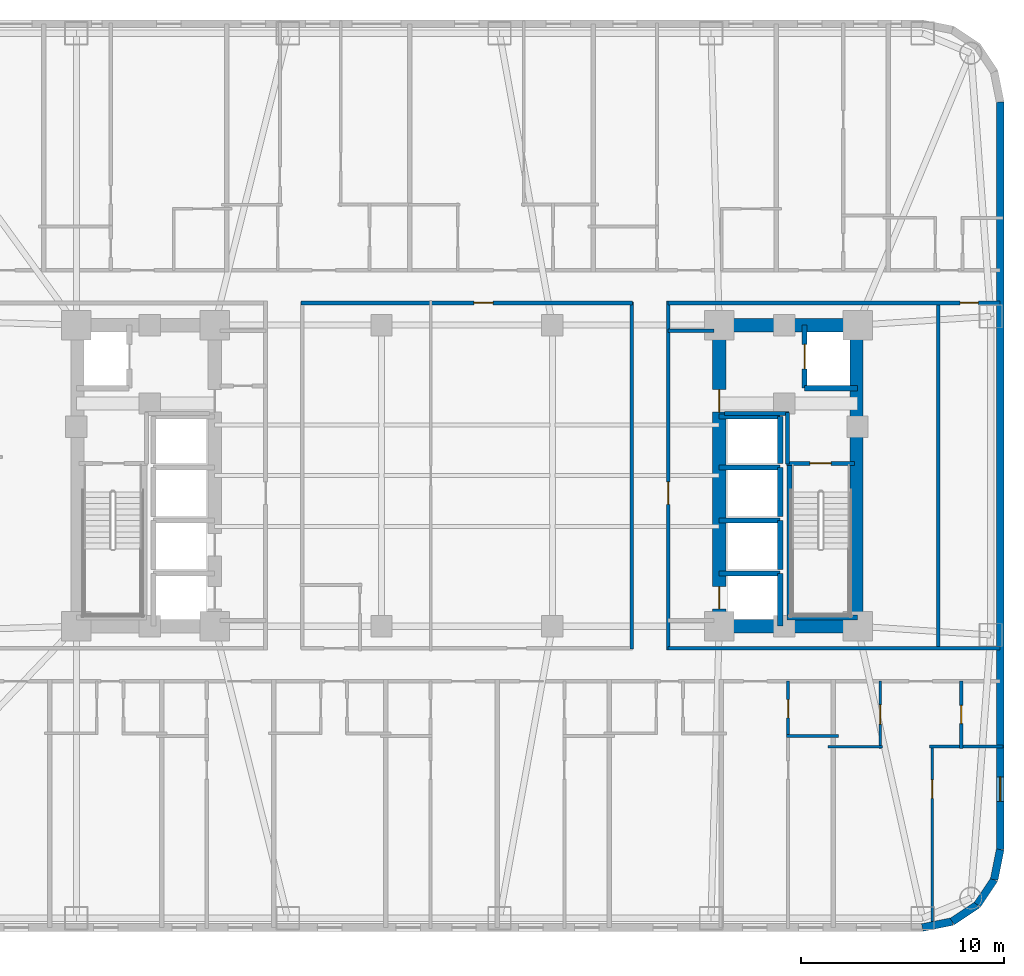
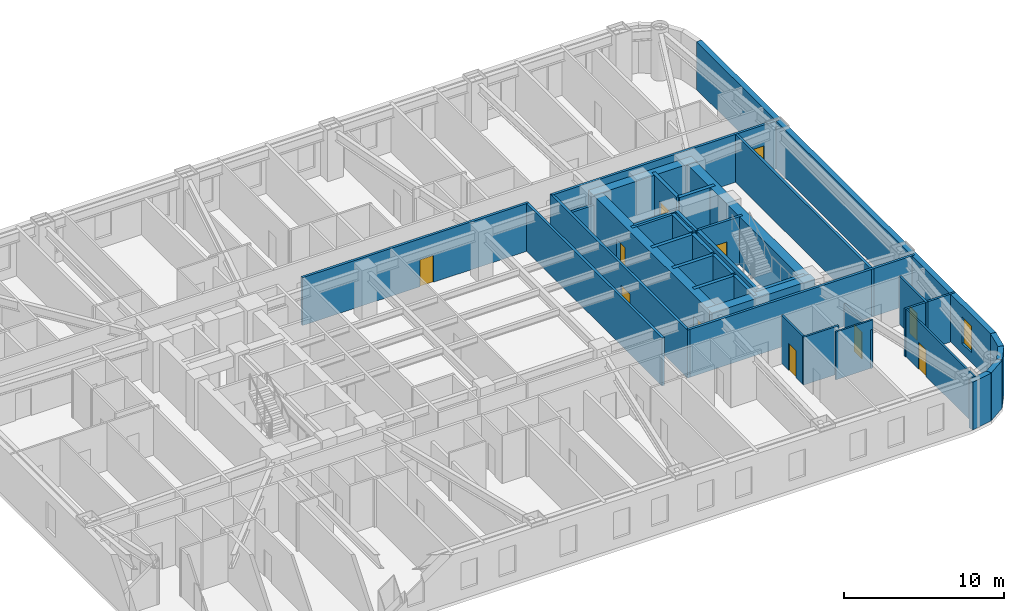
# One storey, part 6 of 11: 38 walls, 11 doors, 1 window, 12 openings.
"""IFC4 building model written with IfcOpenShell, lengths in metres."""

from ifc_helpers import new_model, si_unit, direction, frame, frame_2d, origin, place, context, subcontext, project, spatial, rectangle, extrude, material, layer, layer_set, type_object, element, fill, save


model = new_model("IFC4")

# Units and contexts
model_context = context("Model", 3, precision=1e-05, world=origin(), true_north=direction((0.0, 1.0)))
body_context = subcontext(model_context, "Body", "Model", "MODEL_VIEW")
ifc_project = project(units=[si_unit("LENGTHUNIT", "METRE"), si_unit("AREAUNIT", "SQUARE_METRE"), si_unit("VOLUMEUNIT", "CUBIC_METRE"), si_unit("PLANEANGLEUNIT", "RADIAN"), si_unit("MASSUNIT", "GRAM", prefix="KILO")], contexts=[model_context])

# Site, building, storey
site_placement = place(None, origin())
site = spatial("IfcSite", under=ifc_project, at=site_placement, CompositionType="ELEMENT")
building_placement = place(site_placement, origin())
building = spatial("IfcBuilding", under=site, at=building_placement, Name="Voryun Gate Residences", CompositionType="ELEMENT")
storey_placement = place(building_placement, frame((0.0, 0.0, 68.89990234375)))
storey = spatial("IfcBuildingStorey", under=building, at=storey_placement, Name="L16", CompositionType="ELEMENT", Elevation=68.89990234375)

# Walls
ifc_material_1 = material(Name="Concrete C60/75", Category="concrete")
ifc_layer_1 = layer(ifc_material_1, 0.64990234375, Name="CW_CORE_650")
ifc_layer_set_1 = layer_set([ifc_layer_1], Name="Concrete C60/75")
wall_type_1 = type_object("IfcWallType", Name="CW_CORE_650", PredefinedType="SHEAR", material=ifc_layer_set_1)
for number, where, z_axis, x_axis, name in (
    (1, (12.074951171875, -7.39990234375, 0.0), (0.0, 0.0, 1.0), (1.0, 0.0, 0.0), "L16 Core shear wall CW-L16-ES"),
    (2, (12.074951171875, 7.39990234375, 0.0), (0.0, 0.0, 1.0), (1.0, 0.0, 0.0), "L16 Core shear wall CW-L16-EN"),
):
    element("IfcWall", number, at=place(storey_placement, frame(where, z_axis=z_axis, x_axis=x_axis)), inside=storey, type_object=wall_type_1, Name=name, PredefinedType="SHEAR", context=body_context, shape_type="SweptSolid", body=[
        extrude(rectangle(XDim=7.449951171875, YDim=0.64990234375, at=frame_2d((3.72509765625, 0.0))), origin(), (0.0, 0.0, 1.0), 3.650146484375),
    ])

# Wall, openings, doors
wall_1_placement = place(storey_placement, frame((12.39990234375, -7.39990234375, 0.0), z_axis=(0.0, 0.0, 1.0), x_axis=(0.0, 1.0, 0.0)))
wall_1 = element("IfcWall", 3, at=wall_1_placement, inside=storey, type_object=wall_type_1, Name="L16 Core shear wall CW-L16-EW", PredefinedType="SHEAR", context=body_context, shape_type="SweptSolid", body=[
    extrude(rectangle(XDim=14.7998046875, YDim=0.64990234375, at=frame_2d((7.39990234375, 0.0))), origin(), (0.0, 0.0, 1.0), 3.650146484375),
])
opening_1_placement = place(wall_1_placement, frame((0.85009765625, 0.0, 0.0)))
opening_1 = element("IfcOpeningElement", 4, at=opening_1_placement, cuts=wall_1, Name="Opening LD2", PredefinedType="OPENING", context=body_context, shape_type="SweptSolid", body=[
    extrude(rectangle(XDim=1.10009765625, YDim=2.050048828125, at=frame_2d((0.550048828125, 1.02490234375))), frame((0.0, 0.3349609375, 0.0), z_axis=(0.0, -1.0, 0.0), x_axis=(1.0, 0.0, 0.0)), (0.0, 0.0, 1.0), 0.669921875),
])
opening_2_placement = place(wall_1_placement, frame((10.530029296875, 0.0, 0.0)))
opening_2 = element("IfcOpeningElement", 5, at=opening_2_placement, cuts=wall_1, Name="Opening D-FD60-2", PredefinedType="OPENING", context=body_context, shape_type="SweptSolid", body=[
    extrude(rectangle(XDim=1.10009765625, YDim=2.050048828125, at=frame_2d((0.550048828125, 1.02490234375))), frame((0.0, 0.3349609375, 0.0), z_axis=(0.0, -1.0, 0.0), x_axis=(1.0, 0.0, 0.0)), (0.0, 0.0, 1.0), 0.669921875),
])
ifc_material_2 = material(Name="Painted steel fire door", Category="steel")
door_type_1 = type_object("IfcDoorType", Name="DR_FD60_FFLOB_1100", OperationType="NOTDEFINED", PredefinedType="DOOR", material=ifc_material_2)
door_1_placement = place(opening_2_placement, origin())
door_1 = element("IfcDoor", 6, at=door_1_placement, inside=storey, type_object=door_type_1, Name="Door DR-L16-CLOB-E", OperationType="SINGLE_SWING_RIGHT", OverallHeight=2.050048828125, OverallWidth=1.10009765625, PredefinedType="DOOR", context=body_context, shape_type="SweptSolid", body=[
    extrude(rectangle(XDim=1.10009765625, YDim=2.050048828125, at=frame_2d((0.550048828125, 1.02490234375))), frame((0.0, 0.02490234375, 0.0), z_axis=(0.0, -1.0, 0.0), x_axis=(1.0, 0.0, 0.0)), (0.0, 0.0, 1.0), 0.050048828125),
])
fill(opening_2, door_1)
ifc_material_3 = material(Name="Anodised aluminium", Category="aluminium")
door_type_2 = type_object("IfcDoorType", Name="DR_LD_PASS_1100", OperationType="NOTDEFINED", PredefinedType="DOOR", material=ifc_material_3)
door_2_placement = place(opening_1_placement, origin())
door_2 = element("IfcDoor", 7, at=door_2_placement, inside=storey, type_object=door_type_2, Name="Lift EL-P3 sliding landing door L16", OperationType="SLIDING_TO_LEFT", OverallHeight=2.050048828125, OverallWidth=1.10009765625, PredefinedType="DOOR", context=body_context, shape_type="SweptSolid", body=[
    extrude(rectangle(XDim=1.10009765625, YDim=2.050048828125, at=frame_2d((0.550048828125, 1.02490234375))), frame((0.0, 0.02490234375, 0.0), z_axis=(0.0, -1.0, 0.0), x_axis=(1.0, 0.0, 0.0)), (0.0, 0.0, 1.0), 0.050048828125),
])
fill(opening_1, door_2)

# Wall
wall_2_placement = place(storey_placement, frame((19.14501953125, -7.39990234375, 0.0), z_axis=(0.0, 0.0, 1.0), x_axis=(0.0, 1.0, 0.0)))
element("IfcWall", 8, at=wall_2_placement, inside=storey, type_object=wall_type_1, Name="L16 Core shear wall CW-L16-EE", PredefinedType="SHEAR", context=body_context, shape_type="SweptSolid", body=[
    extrude(rectangle(XDim=14.7998046875, YDim=0.64990234375, at=frame_2d((7.39990234375, 0.0))), origin(), (0.0, 0.0, 1.0), 3.650146484375),
])

# Wall, opening, door
ifc_material_4 = material(Name="Gypsum acoustic fireboard")
ifc_layer_2 = layer(ifc_material_4, 0.179931640625, Name="W_CORR_RATED_180")
ifc_layer_set_2 = layer_set([ifc_layer_2], Name="Gypsum acoustic fireboard")
wall_type_2 = type_object("IfcWallType", Name="W_CORR_RATED_180", PredefinedType="PARTITIONING", material=ifc_layer_set_2)
wall_3_placement = place(storey_placement, frame((15.699951171875, 0.60009765625, 0.0), z_axis=(0.0, 0.0, 1.0), x_axis=(1.0, 0.0, 0.0)))
wall_3 = element("IfcWall", 9, at=wall_3_placement, inside=storey, type_object=wall_type_2, Name="Partition wall WP-L16-STV-E", PredefinedType="PARTITIONING", context=body_context, shape_type="SweptSolid", body=[
    extrude(rectangle(XDim=3.360107421875, YDim=0.179931640625, at=frame_2d((1.68017578125, 0.0))), origin(), (0.0, 0.0, 1.0), 3.650146484375),
])
opening_3_placement = place(wall_3_placement, frame((1.155029296875, 0.0, 0.0)))
opening_3 = element("IfcOpeningElement", 10, at=opening_3_placement, cuts=wall_3, Name="Opening D-FD60-1", PredefinedType="OPENING", context=body_context, shape_type="SweptSolid", body=[
    extrude(rectangle(XDim=1.050048828125, YDim=2.050048828125, at=frame_2d((0.52490234375, 1.02490234375))), frame((0.0, 0.099853515625, 0.0), z_axis=(0.0, -1.0, 0.0), x_axis=(1.0, 0.0, 0.0)), (0.0, 0.0, 1.0), 0.199951171875),
])
ifc_material_5 = material(Name="Painted steel fire door", Category="steel")
door_type_3 = type_object("IfcDoorType", Name="DR_FD60_STAIR_1050", OperationType="NOTDEFINED", PredefinedType="DOOR", material=ifc_material_5)
door_3_placement = place(opening_3_placement, origin())
door_3 = element("IfcDoor", 11, at=door_3_placement, inside=storey, type_object=door_type_3, Name="Door DR-L16-ST-E", OperationType="SINGLE_SWING_RIGHT", OverallHeight=2.050048828125, OverallWidth=1.050048828125, PredefinedType="DOOR", context=body_context, shape_type="SweptSolid", body=[
    extrude(rectangle(XDim=1.050048828125, YDim=2.050048828125, at=frame_2d((0.52490234375, 1.02490234375))), frame((0.0, 0.02490234375, 0.0), z_axis=(0.0, -1.0, 0.0), x_axis=(1.0, 0.0, 0.0)), (0.0, 0.0, 1.0), 0.050048828125),
])
fill(opening_3, door_3)

# Wall
wall_4_placement = place(storey_placement, frame((9.8798828125, 7.1201171875, 0.0), z_axis=(0.0, 0.0, 1.0), x_axis=(1.0, 0.0, 0.0)))
element("IfcWall", 12, at=wall_4_placement, inside=storey, type_object=wall_type_2, Name="Partition wall WP-L16-PLBN-E", PredefinedType="PARTITIONING", context=body_context, shape_type="SweptSolid", body=[
    extrude(rectangle(XDim=2.27001953125, YDim=0.179931640625, at=frame_2d((1.135009765625, 0.0))), origin(), (0.0, 0.0, 1.0), 2.940185546875),
])

# Wall, opening, door
wall_5_placement = place(storey_placement, frame((9.89990234375, -8.580078125, 0.0), z_axis=(0.0, 0.0, 1.0), x_axis=(0.0, 1.0, 0.0)))
wall_5 = element("IfcWall", 13, at=wall_5_placement, inside=storey, type_object=wall_type_2, Name="Partition wall WP-L16-PLBE-FULL", PredefinedType="PARTITIONING", context=body_context, shape_type="SweptSolid", body=[
    extrude(rectangle(XDim=17.16015625, YDim=0.179931640625, at=frame_2d((8.580078125, 0.0))), origin(), (0.0, 0.0, 1.0), 3.650146484375),
])
opening_4_placement = place(wall_5_placement, frame((7.172119140625, 0.0, 0.0)))
opening_4 = element("IfcOpeningElement", 14, at=opening_4_placement, cuts=wall_5, Name="Opening D-FD60-2", PredefinedType="OPENING", context=body_context, shape_type="SweptSolid", body=[
    extrude(rectangle(XDim=1.10009765625, YDim=2.050048828125, at=frame_2d((0.550048828125, 1.02490234375))), frame((0.0, 0.099853515625, 0.0), z_axis=(0.0, -1.0, 0.0), x_axis=(1.0, 0.0, 0.0)), (0.0, 0.0, 1.0), 0.199951171875),
])
door_4_placement = place(opening_4_placement, origin())
door_4 = element("IfcDoor", 15, at=door_4_placement, inside=storey, type_object=door_type_1, Name="Door DR-L16-PLBE-COR", OperationType="SINGLE_SWING_RIGHT", OverallHeight=2.050048828125, OverallWidth=1.10009765625, PredefinedType="DOOR", context=body_context, shape_type="SweptSolid", body=[
    extrude(rectangle(XDim=1.10009765625, YDim=2.050048828125, at=frame_2d((0.550048828125, 1.02490234375))), frame((0.0, 0.02490234375, 0.0), z_axis=(0.0, -1.0, 0.0), x_axis=(1.0, 0.0, 0.0)), (0.0, 0.0, 1.0), 0.050048828125),
])
fill(opening_4, door_4)

wall_6_placement = place(storey_placement, frame((9.8798828125, 8.489990234375, 0.0), z_axis=(0.0, 0.0, 1.0), x_axis=(1.0, 0.0, 0.0)))
wall_6 = element("IfcWall", 16, at=wall_6_placement, inside=storey, type_object=wall_type_2, Name="Partition wall WP-L16-CWING-EN", PredefinedType="PARTITIONING", context=body_context, shape_type="SweptSolid", body=[
    extrude(rectangle(XDim=16.330078125, YDim=0.179931640625, at=frame_2d((8.1650390625, 0.0))), origin(), (0.0, 0.0, 1.0), 3.650146484375),
])
opening_5_placement = place(wall_6_placement, frame((14.364501953125, 0.0, 0.0)))
opening_5 = element("IfcOpeningElement", 17, at=opening_5_placement, cuts=wall_6, Name="Opening D-INT-2", PredefinedType="OPENING", context=body_context, shape_type="SweptSolid", body=[
    extrude(rectangle(XDim=0.89990234375, YDim=2.050048828125, at=frame_2d((0.449951171875, 1.02490234375))), frame((0.0, 0.099853515625, 0.0), z_axis=(0.0, -1.0, 0.0), x_axis=(1.0, 0.0, 0.0)), (0.0, 0.0, 1.0), 0.199951171875),
])
ifc_material_6 = material(Name="Architectural oak veneer")
door_type_4 = type_object("IfcDoorType", Name="DR_INT_BATH_900", OperationType="NOTDEFINED", PredefinedType="DOOR", material=ifc_material_6)
door_5_placement = place(opening_5_placement, origin())
door_5 = element("IfcDoor", 18, at=door_5_placement, inside=storey, type_object=door_type_4, Name="Door DR-L16-EE1N", OperationType="SINGLE_SWING_LEFT", OverallHeight=2.050048828125, OverallWidth=0.89990234375, PredefinedType="DOOR", context=body_context, shape_type="SweptSolid", body=[
    extrude(rectangle(XDim=0.89990234375, YDim=2.050048828125, at=frame_2d((0.449951171875, 1.02490234375))), frame((0.0, 0.02490234375, 0.0), z_axis=(0.0, -1.0, 0.0), x_axis=(1.0, 0.0, 0.0)), (0.0, 0.0, 1.0), 0.050048828125),
])
fill(opening_5, door_5)

# Wall
wall_7_placement = place(storey_placement, frame((9.8798828125, -8.489990234375, 0.0), z_axis=(0.0, 0.0, 1.0), x_axis=(1.0, 0.0, 0.0)))
element("IfcWall", 19, at=wall_7_placement, inside=storey, type_object=wall_type_2, Name="Partition wall WP-L16-CWING-ES", PredefinedType="PARTITIONING", context=body_context, shape_type="SweptSolid", body=[
    extrude(rectangle(XDim=16.330078125, YDim=0.179931640625, at=frame_2d((8.1650390625, 0.0))), origin(), (0.0, 0.0, 1.0), 3.650146484375),
])

# Wall, opening, door
wall_8_placement = place(storey_placement, frame((-8.14990234375, 8.489990234375, 0.0), z_axis=(0.0, 0.0, 1.0), x_axis=(1.0, 0.0, 0.0)))
wall_8 = element("IfcWall", 20, at=wall_8_placement, inside=storey, type_object=wall_type_2, Name="Partition wall WP-L16-Z1N", PredefinedType="PARTITIONING", context=body_context, shape_type="SweptSolid", body=[
    extrude(rectangle(XDim=16.2998046875, YDim=0.179931640625, at=frame_2d((8.14990234375, 0.0))), origin(), (0.0, 0.0, 1.0), 3.650146484375),
])
opening_6_placement = place(wall_8_placement, frame((8.489990234375, 0.0, 0.0)))
opening_6 = element("IfcOpeningElement", 21, at=opening_6_placement, cuts=wall_8, Name="Opening D-INT-1", PredefinedType="OPENING", context=body_context, shape_type="SweptSolid", body=[
    extrude(rectangle(XDim=0.949951171875, YDim=2.050048828125, at=frame_2d((0.47509765625, 1.02490234375))), frame((0.0, 0.099853515625, 0.0), z_axis=(0.0, -1.0, 0.0), x_axis=(1.0, 0.0, 0.0)), (0.0, 0.0, 1.0), 0.199951171875),
])
ifc_material_7 = material(Name="Architectural oak veneer")
door_type_5 = type_object("IfcDoorType", Name="DR_INT_ROOM_950", OperationType="NOTDEFINED", PredefinedType="DOOR", material=ifc_material_7)
door_6_placement = place(opening_6_placement, origin())
door_6 = element("IfcDoor", 22, at=door_6_placement, inside=storey, type_object=door_type_5, Name="Door DR-L16-CMIDZ1N", OperationType="SINGLE_SWING_LEFT", OverallHeight=2.050048828125, OverallWidth=0.949951171875, PredefinedType="DOOR", context=body_context, shape_type="SweptSolid", body=[
    extrude(rectangle(XDim=0.949951171875, YDim=2.050048828125, at=frame_2d((0.47509765625, 1.02490234375))), frame((0.0, 0.02490234375, 0.0), z_axis=(0.0, -1.0, 0.0), x_axis=(1.0, 0.0, 0.0)), (0.0, 0.0, 1.0), 0.050048828125),
])
fill(opening_6, door_6)

# Walls
wall_9_placement = place(storey_placement, frame((8.10009765625, -8.530029296875, 0.0), z_axis=(0.0, 0.0, 1.0), x_axis=(0.0, 1.0, 0.0)))
element("IfcWall", 23, at=wall_9_placement, inside=storey, type_object=wall_type_2, Name="Partition wall WP-L16-Z1E", PredefinedType="PARTITIONING", context=body_context, shape_type="SweptSolid", body=[
    extrude(rectangle(XDim=17.06005859375, YDim=0.179931640625, at=frame_2d((8.530029296875, 0.0))), origin(), (0.0, 0.0, 1.0), 3.650146484375),
])
wall_10_placement = place(storey_placement, frame((23.169921875, -8.580078125, 0.0), z_axis=(0.0, 0.0, 1.0), x_axis=(0.0, 1.0, 0.0)))
element("IfcWall", 24, at=wall_10_placement, inside=storey, type_object=wall_type_2, Name="Partition wall WP-L16-EEND", PredefinedType="PARTITIONING", context=body_context, shape_type="SweptSolid", body=[
    extrude(rectangle(XDim=17.16015625, YDim=0.179931640625, at=frame_2d((8.580078125, 0.0))), origin(), (0.0, 0.0, 1.0), 3.650146484375),
])

# Wall, opening, window
ifc_material_8 = material(Name="Granite masonry", Category="masonry")
ifc_layer_3 = layer(ifc_material_8, 0.3798828125, Name="W_EXT_GRANITE_380")
ifc_layer_set_3 = layer_set([ifc_layer_3], Name="Granite masonry")
wall_type_3 = type_object("IfcWallType", Name="W_EXT_GRANITE_380", PredefinedType="ELEMENTEDWALL", material=ifc_layer_set_3)
wall_11_placement = place(storey_placement, frame((26.2099609375, 18.38134765625, 0.0), z_axis=(0.0, 0.0, 1.0), x_axis=(0.0, -1.0, 0.0)))
wall_11 = element("IfcWall", 25, at=wall_11_placement, inside=storey, type_object=wall_type_3, Name="Exterior wall WEXT-L16-16", PredefinedType="ELEMENTEDWALL", context=body_context, shape_type="SweptSolid", body=[
    extrude(rectangle(XDim=36.7626953125, YDim=0.3798828125, at=frame_2d((18.38134765625, 0.0))), origin(), (0.0, 0.0, 1.0), 3.650146484375),
])
opening_7_placement = place(wall_11_placement, frame((33.18701171875, 0.0, 0.75)))
opening_7 = element("IfcOpeningElement", 26, at=opening_7_placement, cuts=wall_11, Name="Opening WN6", PredefinedType="OPENING", context=body_context, shape_type="SweptSolid", body=[
    extrude(rectangle(XDim=1.199951171875, YDim=2.050048828125, at=frame_2d((0.60009765625, 1.02490234375))), frame((0.0, 0.199951171875, 0.0), z_axis=(0.0, -1.0, 0.0), x_axis=(1.0, 0.0, 0.0)), (0.0, 0.0, 1.0), 0.39990234375),
])
ifc_material_9 = material(Name="Laminated low-E glass", Category="glass")
window_type = type_object("IfcWindowType", Name="WN_POD_SLOT_1200", PartitioningType="SINGLE_PANEL", PredefinedType="WINDOW", material=ifc_material_9)
window_placement = place(opening_7_placement, origin())
window = element("IfcWindow", 27, at=window_placement, inside=storey, type_object=window_type, Name="Window WN-L16-DWFIX-30", OverallHeight=2.050048828125, OverallWidth=1.199951171875, PartitioningType="SINGLE_PANEL", PredefinedType="WINDOW", context=body_context, shape_type="SweptSolid", body=[
    extrude(rectangle(XDim=1.199951171875, YDim=2.050048828125, at=frame_2d((0.60009765625, 1.02490234375))), frame((0.0, 0.030029296875, 0.0), z_axis=(0.0, -1.0, 0.0), x_axis=(1.0, 0.0, 0.0)), (0.0, 0.0, 1.0), 0.06005859375),
])
fill(opening_7, window)

# Walls
wall_12_placement = place(storey_placement, frame((26.2099609375, -18.38134765625, 0.0), z_axis=(0.0, 0.0, 1.0), x_axis=(-0.195086038585, -0.980786132421, 0.0)))
element("IfcWall", 28, at=wall_12_placement, inside=storey, type_object=wall_type_3, Name="Exterior wall WEXT-L16-17", PredefinedType="ELEMENTEDWALL", context=body_context, shape_type="SweptSolid", body=[
    extrude(rectangle(XDim=1.504150390625, YDim=0.3798828125, at=frame_2d((0.751953125, 0.0))), origin(), (0.0, 0.0, 1.0), 3.650146484375),
])
for number, where, z_axis, x_axis, name in (
    (29, (25.91650390625, -19.856689453125, 0.0), (0.0, 0.0, 1.0), (-0.555686231674, -0.831392092774, 0.0), "Exterior wall WEXT-L16-18"),
    (30, (25.09130859375, -21.09130859375, 0.0), (0.0, 0.0, 1.0), (-0.831392092774, -0.555686231674, 0.0), "Exterior wall WEXT-L16-19"),
):
    element("IfcWall", number, at=place(storey_placement, frame(where, z_axis=z_axis, x_axis=x_axis)), inside=storey, type_object=wall_type_3, Name=name, PredefinedType="ELEMENTEDWALL", context=body_context, shape_type="SweptSolid", body=[
        extrude(rectangle(XDim=1.485107421875, YDim=0.3798828125, at=frame_2d((0.74267578125, 0.0))), origin(), (0.0, 0.0, 1.0), 3.650146484375),
    ])
wall_13_placement = place(storey_placement, frame((23.856689453125, -21.91650390625, 0.0), z_axis=(0.0, 0.0, 1.0), x_axis=(-0.980786132421, -0.195086038585, 0.0)))
element("IfcWall", 31, at=wall_13_placement, inside=storey, type_object=wall_type_3, Name="Exterior wall WEXT-L16-20", PredefinedType="ELEMENTEDWALL", context=body_context, shape_type="SweptSolid", body=[
    extrude(rectangle(XDim=1.504150390625, YDim=0.3798828125, at=frame_2d((0.751953125, 0.0))), origin(), (0.0, 0.0, 1.0), 3.650146484375),
])
ifc_material_10 = material(Name="Concrete C40/50", Category="concrete")
ifc_layer_4 = layer(ifc_material_10, 0.199951171875, Name="W_FF_LOBBY_200")
ifc_layer_set_4 = layer_set([ifc_layer_4], Name="Concrete C40/50")
wall_type_4 = type_object("IfcWallType", Name="W_FF_LOBBY_200", PredefinedType="PARTITIONING", material=ifc_layer_set_4)
wall_14_placement = place(storey_placement, frame((15.760009765625, 0.580078125, 0.0), z_axis=(0.0, 0.0, 1.0), x_axis=(0.0, 1.0, 0.0)))
element("IfcWall", 32, at=wall_14_placement, inside=storey, type_object=wall_type_4, Name="Partition wall WP-L16-FFP0-E", PredefinedType="PARTITIONING", context=body_context, shape_type="SweptSolid", body=[
    extrude(rectangle(XDim=2.52001953125, YDim=0.199951171875, at=frame_2d((1.260009765625, 0.0))), origin(), (0.0, 0.0, 1.0), 3.650146484375),
])
wall_15_placement = place(storey_placement, frame((12.659912109375, 3.06005859375, 0.0), z_axis=(0.0, 0.0, 1.0), x_axis=(1.0, 0.0, 0.0)))
element("IfcWall", 33, at=wall_15_placement, inside=storey, type_object=wall_type_4, Name="Partition wall WP-L16-FFPS-E", PredefinedType="PARTITIONING", context=body_context, shape_type="SweptSolid", body=[
    extrude(rectangle(XDim=3.16015625, YDim=0.199951171875, at=frame_2d((1.580078125, 0.0))), origin(), (0.0, 0.0, 1.0), 3.650146484375),
])
ifc_material_11 = material(Name="Concrete C50/60", Category="concrete")
ifc_layer_5 = layer(ifc_material_11, 0.25, Name="W_SHAFT_RC250")
ifc_layer_set_5 = layer_set([ifc_layer_5], Name="Concrete C50/60")
wall_type_5 = type_object("IfcWallType", Name="W_SHAFT_RC250", PredefinedType="SOLIDWALL", material=ifc_layer_set_5)
wall_16_placement = place(storey_placement, frame((15.860107421875, -7.0849609375, 0.0), z_axis=(0.0, 0.0, 1.0), x_axis=(0.0, 1.0, 0.0)))
element("IfcWall", 34, at=wall_16_placement, inside=storey, type_object=wall_type_5, Name="L16 Stair shaft structural wall E-STL", PredefinedType="SOLIDWALL", context=body_context, shape_type="SweptSolid", body=[
    extrude(rectangle(XDim=7.68505859375, YDim=0.25, at=frame_2d((3.842529296875, 0.0))), origin(), (0.0, 0.0, 1.0), 3.650146484375),
])
wall_17_placement = place(storey_placement, frame((15.739990234375, -6.965087890625, 0.0), z_axis=(0.0, 0.0, 1.0), x_axis=(1.0, 0.0, 0.0)))
element("IfcWall", 35, at=wall_17_placement, inside=storey, type_object=wall_type_5, Name="L16 Stair shaft structural wall E-STS", PredefinedType="SOLIDWALL", context=body_context, shape_type="SweptSolid", body=[
    extrude(rectangle(XDim=3.4599609375, YDim=0.25, at=frame_2d((1.72998046875, 0.0))), origin(), (0.0, 0.0, 1.0), 3.650146484375),
])
wall_18_placement = place(storey_placement, frame((16.60009765625, 4.300048828125, 0.0), z_axis=(0.0, 0.0, 1.0), x_axis=(1.0, 0.0, 0.0)))
element("IfcWall", 36, at=wall_18_placement, inside=storey, type_object=wall_type_5, Name="Lift shaft wall WSH-L16-EL-FF-E1-S", PredefinedType="SOLIDWALL", context=body_context, shape_type="SweptSolid", body=[
    extrude(rectangle(XDim=2.599853515625, YDim=0.25, at=frame_2d((1.2998046875, 0.0))), origin(), (0.0, 0.0, 1.0), 3.650146484375),
])

# Wall, opening, door
wall_19_placement = place(storey_placement, frame((16.60009765625, 7.39990234375, 0.0), z_axis=(0.0, 0.0, 1.0), x_axis=(0.0, -1.0, 0.0)))
wall_19 = element("IfcWall", 37, at=wall_19_placement, inside=storey, type_object=wall_type_5, Name="Lift shaft wall WSH-L16-EL-FF-E1-W", PredefinedType="SOLIDWALL", context=body_context, shape_type="SweptSolid", body=[
    extrude(rectangle(XDim=3.099853515625, YDim=0.25, at=frame_2d((1.5498046875, 0.0))), origin(), (0.0, 0.0, 1.0), 3.650146484375),
])
opening_8_placement = place(wall_19_placement, frame((0.949951171875, 0.0, 0.0)))
opening_8 = element("IfcOpeningElement", 38, at=opening_8_placement, cuts=wall_19, Name="Opening LD1", PredefinedType="OPENING", context=body_context, shape_type="SweptSolid", body=[
    extrude(rectangle(XDim=1.199951171875, YDim=2.050048828125, at=frame_2d((0.60009765625, 1.02490234375))), frame((0.0, 0.135009765625, 0.0), z_axis=(0.0, -1.0, 0.0), x_axis=(1.0, 0.0, 0.0)), (0.0, 0.0, 1.0), 0.27001953125),
])
ifc_material_12 = material(Name="Anodised aluminium", Category="aluminium")
door_type_6 = type_object("IfcDoorType", Name="DR_LD_FF_1200", OperationType="NOTDEFINED", PredefinedType="DOOR", material=ifc_material_12)
door_7_placement = place(opening_8_placement, origin())
door_7 = element("IfcDoor", 39, at=door_7_placement, inside=storey, type_object=door_type_6, Name="Lift EL-FF-E1 sliding landing door L16", OperationType="SLIDING_TO_LEFT", OverallHeight=2.050048828125, OverallWidth=1.199951171875, PredefinedType="DOOR", context=body_context, shape_type="SweptSolid", body=[
    extrude(rectangle(XDim=1.199951171875, YDim=2.050048828125, at=frame_2d((0.60009765625, 1.02490234375))), frame((0.0, 0.02490234375, 0.0), z_axis=(0.0, -1.0, 0.0), x_axis=(1.0, 0.0, 0.0)), (0.0, 0.0, 1.0), 0.050048828125),
])
fill(opening_8, door_7)

# Walls
wall_20_placement = place(storey_placement, frame((15.39990234375, -7.39990234375, 0.0), z_axis=(0.0, 0.0, 1.0), x_axis=(0.0, 1.0, 0.0)))
element("IfcWall", 40, at=wall_20_placement, inside=storey, type_object=wall_type_5, Name="Lift shaft wall WSH-L16-EL-P3-E", PredefinedType="SOLIDWALL", context=body_context, shape_type="SweptSolid", body=[
    extrude(rectangle(XDim=2.599853515625, YDim=0.25, at=frame_2d((1.2998046875, 0.0))), origin(), (0.0, 0.0, 1.0), 3.650146484375),
])
wall_21_placement = place(storey_placement, frame((15.39990234375, -4.800048828125, 0.0), z_axis=(0.0, 0.0, 1.0), x_axis=(-1.0, 0.0, 0.0)))
element("IfcWall", 41, at=wall_21_placement, inside=storey, type_object=wall_type_5, Name="Lift shaft wall WSH-L16-EL-P3-N", PredefinedType="SOLIDWALL", context=body_context, shape_type="SweptSolid", body=[
    extrude(rectangle(XDim=3.0, YDim=0.25, at=frame_2d((1.5, 0.0))), origin(), (0.0, 0.0, 1.0), 3.650146484375),
])
wall_22_placement = place(storey_placement, frame((15.39990234375, -4.60009765625, 0.0), z_axis=(0.0, 0.0, 1.0), x_axis=(0.0, 1.0, 0.0)))
element("IfcWall", 42, at=wall_22_placement, inside=storey, type_object=wall_type_5, Name="Lift shaft wall WSH-L16-EL-P5-E", PredefinedType="SOLIDWALL", context=body_context, shape_type="SweptSolid", body=[
    extrude(rectangle(XDim=2.400146484375, YDim=0.25, at=frame_2d((1.2001953125, 0.0))), origin(), (0.0, 0.0, 1.0), 3.650146484375),
])
wall_23_placement = place(storey_placement, frame((15.39990234375, -2.199951171875, 0.0), z_axis=(0.0, 0.0, 1.0), x_axis=(-1.0, 0.0, 0.0)))
element("IfcWall", 43, at=wall_23_placement, inside=storey, type_object=wall_type_5, Name="Lift shaft wall WSH-L16-EL-P5-N", PredefinedType="SOLIDWALL", context=body_context, shape_type="SweptSolid", body=[
    extrude(rectangle(XDim=3.0, YDim=0.25, at=frame_2d((1.5, 0.0))), origin(), (0.0, 0.0, 1.0), 3.650146484375),
])
wall_24_placement = place(storey_placement, frame((15.39990234375, -2.0, 0.0), z_axis=(0.0, 0.0, 1.0), x_axis=(0.0, 1.0, 0.0)))
element("IfcWall", 44, at=wall_24_placement, inside=storey, type_object=wall_type_5, Name="Lift shaft wall WSH-L16-EL-P6-E", PredefinedType="SOLIDWALL", context=body_context, shape_type="SweptSolid", body=[
    extrude(rectangle(XDim=2.39990234375, YDim=0.25, at=frame_2d((1.199951171875, 0.0))), origin(), (0.0, 0.0, 1.0), 3.650146484375),
])
wall_25_placement = place(storey_placement, frame((15.39990234375, 0.39990234375, 0.0), z_axis=(0.0, 0.0, 1.0), x_axis=(-1.0, 0.0, 0.0)))
element("IfcWall", 45, at=wall_25_placement, inside=storey, type_object=wall_type_5, Name="Lift shaft wall WSH-L16-EL-P6-N", PredefinedType="SOLIDWALL", context=body_context, shape_type="SweptSolid", body=[
    extrude(rectangle(XDim=3.0, YDim=0.25, at=frame_2d((1.5, 0.0))), origin(), (0.0, 0.0, 1.0), 3.650146484375),
])
wall_26_placement = place(storey_placement, frame((15.39990234375, 0.60009765625, 0.0), z_axis=(0.0, 0.0, 1.0), x_axis=(0.0, 1.0, 0.0)))
element("IfcWall", 46, at=wall_26_placement, inside=storey, type_object=wall_type_5, Name="Lift shaft wall WSH-L16-EL-P8-E", PredefinedType="SOLIDWALL", context=body_context, shape_type="SweptSolid", body=[
    extrude(rectangle(XDim=2.2998046875, YDim=0.25, at=frame_2d((1.14990234375, 0.0))), origin(), (0.0, 0.0, 1.0), 3.650146484375),
])
wall_27_placement = place(storey_placement, frame((15.39990234375, 2.89990234375, 0.0), z_axis=(0.0, 0.0, 1.0), x_axis=(-1.0, 0.0, 0.0)))
element("IfcWall", 47, at=wall_27_placement, inside=storey, type_object=wall_type_5, Name="Lift shaft wall WSH-L16-EL-P8-N", PredefinedType="SOLIDWALL", context=body_context, shape_type="SweptSolid", body=[
    extrude(rectangle(XDim=3.0, YDim=0.25, at=frame_2d((1.5, 0.0))), origin(), (0.0, 0.0, 1.0), 3.650146484375),
])

# Wall, opening, door
ifc_material_13 = material(Name="Gypsum acoustic partition")
ifc_layer_6 = layer(ifc_material_13, 0.125, Name="W_UNIT_PART_125")
ifc_layer_set_6 = layer_set([ifc_layer_6], Name="Gypsum acoustic partition")
wall_type_6 = type_object("IfcWallType", Name="W_UNIT_PART_125", PredefinedType="PARTITIONING", material=ifc_layer_set_6)
wall_28_placement = place(storey_placement, frame((22.867919921875, -22.26611328125, 0.0), z_axis=(0.0, 0.0, 1.0), x_axis=(0.0, 1.0, 0.0)))
wall_28 = element("IfcWall", 48, at=wall_28_placement, inside=storey, type_object=wall_type_6, Name="Partition wall WP-L16-S10-OVR", PredefinedType="PARTITIONING", context=body_context, shape_type="SweptSolid", body=[
    extrude(rectangle(XDim=9.026123046875, YDim=0.125, at=frame_2d((4.51318359375, 0.0))), origin(), (0.0, 0.0, 1.0), 3.650146484375),
])
opening_9_placement = place(wall_28_placement, frame((6.409912109375, 0.0, 0.0)))
opening_9 = element("IfcOpeningElement", 49, at=opening_9_placement, cuts=wall_28, Name="Opening D-INT-2", PredefinedType="OPENING", context=body_context, shape_type="SweptSolid", body=[
    extrude(rectangle(XDim=0.89990234375, YDim=2.050048828125, at=frame_2d((0.449951171875, 1.02490234375))), frame((0.0, 0.072509765625, 0.0), z_axis=(0.0, -1.0, 0.0), x_axis=(1.0, 0.0, 0.0)), (0.0, 0.0, 1.0), 0.14501953125),
])
door_8_placement = place(opening_9_placement, origin())
door_8 = element("IfcDoor", 50, at=door_8_placement, inside=storey, type_object=door_type_4, Name="Door DR-L16-S10-DMB", OperationType="SINGLE_SWING_RIGHT", OverallHeight=2.050048828125, OverallWidth=0.89990234375, PredefinedType="DOOR", context=body_context, shape_type="SweptSolid", body=[
    extrude(rectangle(XDim=0.89990234375, YDim=2.050048828125, at=frame_2d((0.449951171875, 1.02490234375))), frame((0.0, 0.02490234375, 0.0), z_axis=(0.0, -1.0, 0.0), x_axis=(1.0, 0.0, 0.0)), (0.0, 0.0, 1.0), 0.050048828125),
])
fill(opening_9, door_8)

wall_29_placement = place(storey_placement, frame((20.31005859375, -13.39990234375, 0.0), z_axis=(0.0, 0.0, 1.0), x_axis=(0.0, 1.0, 0.0)))
wall_29 = element("IfcWall", 51, at=wall_29_placement, inside=storey, type_object=wall_type_6, Name="Partition wall WP-L16-S10-IVK", PredefinedType="PARTITIONING", context=body_context, shape_type="SweptSolid", body=[
    extrude(rectangle(XDim=3.31982421875, YDim=0.125, at=frame_2d((1.659912109375, 0.0))), origin(), (0.0, 0.0, 1.0), 2.940185546875),
])
opening_10_placement = place(wall_29_placement, frame((1.18505859375, 0.0, 0.0)))
opening_10 = element("IfcOpeningElement", 52, at=opening_10_placement, cuts=wall_29, Name="Opening D-INT-1", PredefinedType="OPENING", context=body_context, shape_type="SweptSolid", body=[
    extrude(rectangle(XDim=0.949951171875, YDim=2.050048828125, at=frame_2d((0.47509765625, 1.02490234375))), frame((0.0, 0.072509765625, 0.0), z_axis=(0.0, -1.0, 0.0), x_axis=(1.0, 0.0, 0.0)), (0.0, 0.0, 1.0), 0.14501953125),
])
door_9_placement = place(opening_10_placement, origin())
door_9 = element("IfcDoor", 53, at=door_9_placement, inside=storey, type_object=door_type_5, Name="Door DR-L16-S10-DK", OperationType="SINGLE_SWING_LEFT", OverallHeight=2.050048828125, OverallWidth=0.949951171875, PredefinedType="DOOR", context=body_context, shape_type="SweptSolid", body=[
    extrude(rectangle(XDim=0.949951171875, YDim=2.050048828125, at=frame_2d((0.47509765625, 1.02490234375))), frame((0.0, 0.02490234375, 0.0), z_axis=(0.0, -1.0, 0.0), x_axis=(1.0, 0.0, 0.0)), (0.0, 0.0, 1.0), 0.050048828125),
])
fill(opening_10, door_9)

# Walls
wall_30_placement = place(storey_placement, frame((17.739990234375, -13.320068359375, 0.0), z_axis=(0.0, 0.0, 1.0), x_axis=(1.0, 0.0, 0.0)))
element("IfcWall", 54, at=wall_30_placement, inside=storey, type_object=wall_type_6, Name="Partition wall WP-L16-S10-HZK", PredefinedType="PARTITIONING", context=body_context, shape_type="SweptSolid", body=[
    extrude(rectangle(XDim=2.68994140625, YDim=0.125, at=frame_2d((1.344970703125, 0.0))), origin(), (0.0, 0.0, 1.0), 3.650146484375),
])
ifc_material_14 = material(Name="Gypsum moisture-resistant partition")
ifc_layer_7 = layer(ifc_material_14, 0.14990234375, Name="W_WET_PLUMB_150")
ifc_layer_set_7 = layer_set([ifc_layer_7], Name="Gypsum moisture-resistant partition")
wall_type_7 = type_object("IfcWallType", Name="W_WET_PLUMB_150", PredefinedType="PLUMBINGWALL", material=ifc_layer_set_7)
wall_31_placement = place(storey_placement, frame((15.7099609375, -12.800048828125, 0.0), z_axis=(0.0, 0.0, 1.0), x_axis=(1.0, 0.0, 0.0)))
element("IfcWall", 55, at=wall_31_placement, inside=storey, type_object=wall_type_7, Name="Partition wall WP-L16-S9-SKB", PredefinedType="PLUMBINGWALL", context=body_context, shape_type="SweptSolid", body=[
    extrude(rectangle(XDim=2.550048828125, YDim=0.14990234375, at=frame_2d((1.27490234375, 0.0))), origin(), (0.0, 0.0, 1.0), 3.650146484375),
])

# Wall, opening, door
wall_32_placement = place(storey_placement, frame((15.7900390625, -12.840087890625, 0.0), z_axis=(0.0, 0.0, 1.0), x_axis=(0.0, 1.0, 0.0)))
wall_32 = element("IfcWall", 56, at=wall_32_placement, inside=storey, type_object=wall_type_7, Name="Partition wall WP-L16-S9-SVT2", PredefinedType="PLUMBINGWALL", context=body_context, shape_type="SweptSolid", body=[
    extrude(rectangle(XDim=2.760009765625, YDim=0.14990234375, at=frame_2d((1.3798828125, 0.0))), origin(), (0.0, 0.0, 1.0), 3.650146484375),
])
opening_11_placement = place(wall_32_placement, frame((0.929931640625, 0.0, 0.0)))
opening_11 = element("IfcOpeningElement", 57, at=opening_11_placement, cuts=wall_32, Name="Opening D-INT-2", PredefinedType="OPENING", context=body_context, shape_type="SweptSolid", body=[
    extrude(rectangle(XDim=0.89990234375, YDim=2.050048828125, at=frame_2d((0.449951171875, 1.02490234375))), frame((0.0, 0.0849609375, 0.0), z_axis=(0.0, -1.0, 0.0), x_axis=(1.0, 0.0, 0.0)), (0.0, 0.0, 1.0), 0.169921875),
])
door_10_placement = place(opening_11_placement, origin())
door_10 = element("IfcDoor", 58, at=door_10_placement, inside=storey, type_object=door_type_4, Name="Door DR-L16-S9-DB", OperationType="SINGLE_SWING_RIGHT", OverallHeight=2.050048828125, OverallWidth=0.89990234375, PredefinedType="DOOR", context=body_context, shape_type="SweptSolid", body=[
    extrude(rectangle(XDim=0.89990234375, YDim=2.050048828125, at=frame_2d((0.449951171875, 1.02490234375))), frame((0.0, 0.02490234375, 0.0), z_axis=(0.0, -1.0, 0.0), x_axis=(1.0, 0.0, 0.0)), (0.0, 0.0, 1.0), 0.050048828125),
])
fill(opening_11, door_10)

# Wall
wall_33_placement = place(storey_placement, frame((22.748046875, -13.320068359375, 0.0), z_axis=(0.0, 0.0, 1.0), x_axis=(1.0, 0.0, 0.0)))
element("IfcWall", 59, at=wall_33_placement, inside=storey, type_object=wall_type_7, Name="Partition wall WP-L16-S10-HZB", PredefinedType="PLUMBINGWALL", context=body_context, shape_type="SweptSolid", body=[
    extrude(rectangle(XDim=3.612060546875, YDim=0.14990234375, at=frame_2d((1.80615234375, 0.0))), origin(), (0.0, 0.0, 1.0), 3.650146484375),
])

# Wall, opening, door
wall_34_placement = place(storey_placement, frame((24.298095703125, -13.39990234375, 0.0), z_axis=(0.0, 0.0, 1.0), x_axis=(0.0, 1.0, 0.0)))
wall_34 = element("IfcWall", 60, at=wall_34_placement, inside=storey, type_object=wall_type_7, Name="Partition wall WP-L16-S10-IVB", PredefinedType="PLUMBINGWALL", context=body_context, shape_type="SweptSolid", body=[
    extrude(rectangle(XDim=3.31982421875, YDim=0.14990234375, at=frame_2d((1.659912109375, 0.0))), origin(), (0.0, 0.0, 1.0), 3.650146484375),
])
opening_12_placement = place(wall_34_placement, frame((1.2099609375, 0.0, 0.0)))
opening_12 = element("IfcOpeningElement", 61, at=opening_12_placement, cuts=wall_34, Name="Opening D-INT-2", PredefinedType="OPENING", context=body_context, shape_type="SweptSolid", body=[
    extrude(rectangle(XDim=0.89990234375, YDim=2.050048828125, at=frame_2d((0.449951171875, 1.02490234375))), frame((0.0, 0.0849609375, 0.0), z_axis=(0.0, -1.0, 0.0), x_axis=(1.0, 0.0, 0.0)), (0.0, 0.0, 1.0), 0.169921875),
])
door_11_placement = place(opening_12_placement, origin())
door_11 = element("IfcDoor", 62, at=door_11_placement, inside=storey, type_object=door_type_4, Name="Door DR-L16-S10-DB", OperationType="SINGLE_SWING_RIGHT", OverallHeight=2.050048828125, OverallWidth=0.89990234375, PredefinedType="DOOR", context=body_context, shape_type="SweptSolid", body=[
    extrude(rectangle(XDim=0.89990234375, YDim=2.050048828125, at=frame_2d((0.449951171875, 1.02490234375))), frame((0.0, 0.02490234375, 0.0), z_axis=(0.0, -1.0, 0.0), x_axis=(1.0, 0.0, 0.0)), (0.0, 0.0, 1.0), 0.050048828125),
])
fill(opening_12, door_11)

save(model, "model.ifc")
